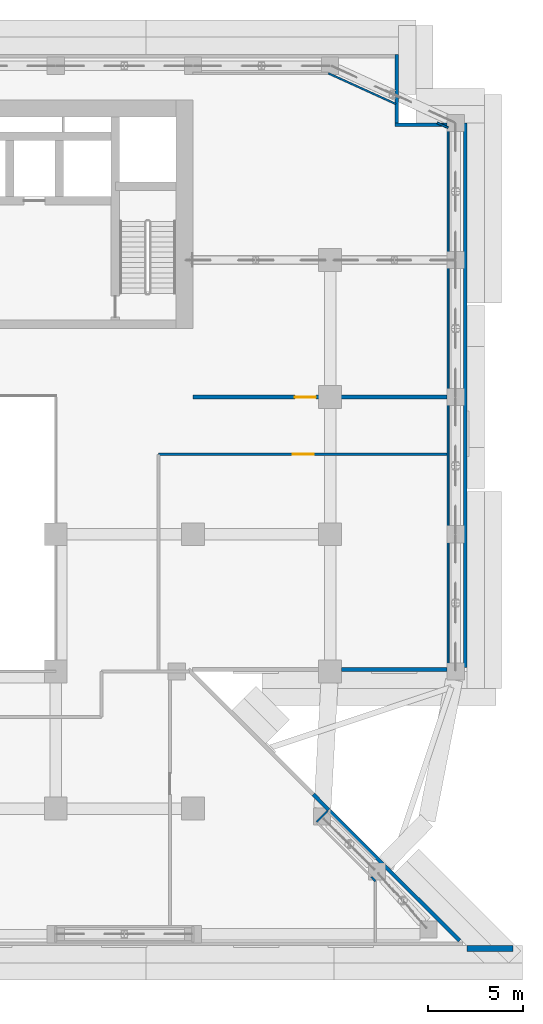
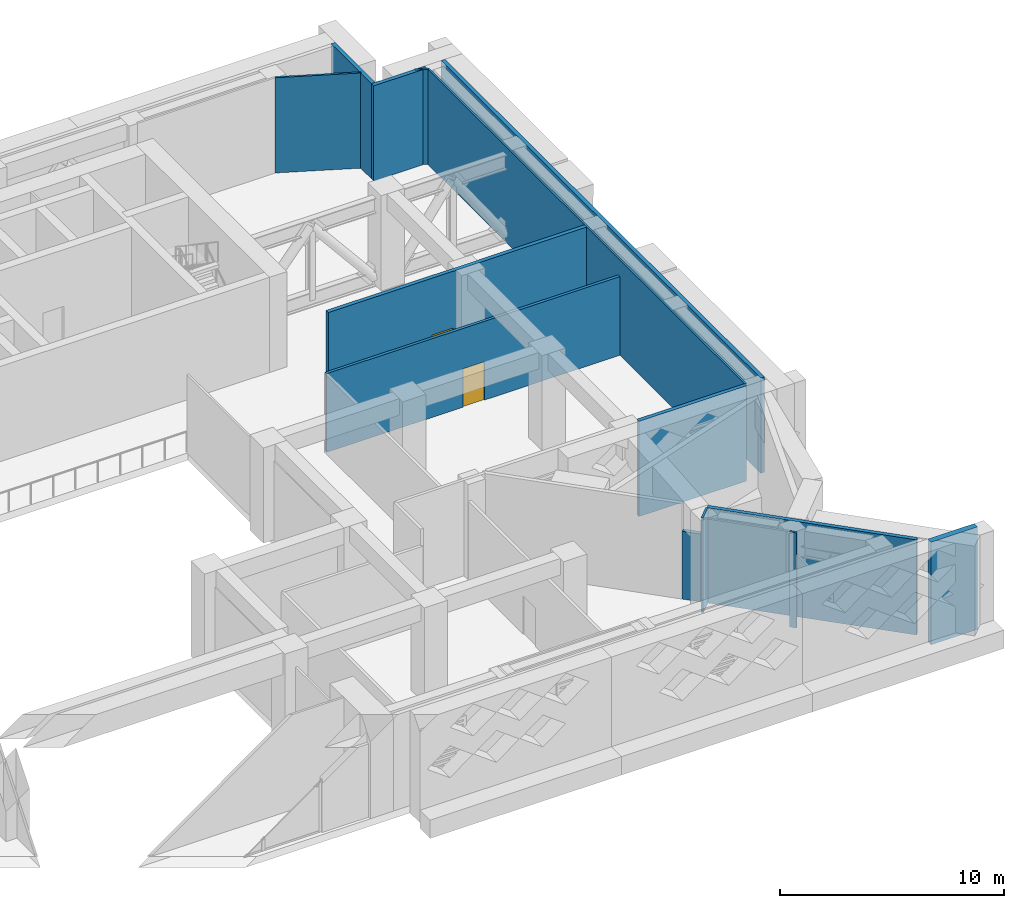
# One storey, part 11 of 19: 14 walls, 2 doors, 2 openings.
"""IFC4 building model written with IfcOpenShell, lengths in metres."""

from ifc_helpers import new_model, si_unit, direction, frame, frame_2d, origin, place, context, subcontext, project, spatial, rectangle, extrude, material, layer, layer_set, type_object, element, fill, save


model = new_model("IFC4")

# Units and contexts
model_context = context("Model", 3, precision=1e-05, world=origin(), true_north=direction((0.0, 1.0)))
body_context = subcontext(model_context, "Body", "Model", "MODEL_VIEW")
ifc_project = project(units=[si_unit("LENGTHUNIT", "METRE"), si_unit("AREAUNIT", "SQUARE_METRE"), si_unit("VOLUMEUNIT", "CUBIC_METRE"), si_unit("PLANEANGLEUNIT", "RADIAN"), si_unit("MASSUNIT", "GRAM", prefix="KILO")], contexts=[model_context])

# Site, building, storey
site_placement = place(None, origin())
site = spatial("IfcSite", under=ifc_project, at=site_placement, CompositionType="ELEMENT")
building_placement = place(site_placement, origin())
building = spatial("IfcBuilding", under=site, at=building_placement, Name="Saffron Iwan Residences", CompositionType="ELEMENT")
storey_placement = place(building_placement, frame((0.0, 0.0, 107.5)))
storey = spatial("IfcBuildingStorey", under=building, at=storey_placement, Name="L28", CompositionType="ELEMENT", Elevation=107.5)

# Wall, opening, door
ifc_material_1 = material(Name="Concrete blockwork", Category="masonry")
ifc_layer_1 = layer(ifc_material_1, 0.14990234375)
ifc_layer_set_1 = layer_set([ifc_layer_1], Name="Concrete blockwork")
wall_type_1 = type_object("IfcWallType", Name="Blockwork partition 150", PredefinedType="PARTITIONING", material=ifc_layer_set_1)
wall_1_placement = place(storey_placement, frame((70.199951171875, 59.39990234375, 0.0), z_axis=(0.0, 0.0, 1.0), x_axis=(1.0, 0.0, 0.0)))
wall_1 = element("IfcWall", 1, at=wall_1_placement, inside=storey, type_object=wall_type_1, Name="W-L28-017", PredefinedType="PARTITIONING", context=body_context, shape_type="SweptSolid", body=[
    extrude(rectangle(XDim=15.150146484375, YDim=0.14990234375, at=frame_2d((7.5751953125, 0.0))), origin(), (0.0, 0.0, 1.0), 4.300048828125),
])
opening_1_placement = place(wall_1_placement, frame((7.050048828125, 0.0, 0.0)))
opening_1 = element("IfcOpeningElement", 2, at=opening_1_placement, cuts=wall_1, Name="Opening L28.09", PredefinedType="OPENING", context=body_context, shape_type="SweptSolid", body=[
    extrude(rectangle(XDim=1.10009765625, YDim=2.10009765625, at=frame_2d((0.550048828125, 1.050048828125))), frame((0.0, 0.0849609375, 0.0), z_axis=(0.0, -1.0, 0.0), x_axis=(1.0, 0.0, 0.0)), (0.0, 0.0, 1.0), 0.169921875),
])
ifc_material_2 = material(Name="Steel", Category="steel")
door_type = type_object("IfcDoorType", Name="Fire door 1100x2100", OperationType="NOTDEFINED", PredefinedType="DOOR", material=ifc_material_2)
door_1_placement = place(opening_1_placement, origin())
door_1 = element("IfcDoor", 3, at=door_1_placement, inside=storey, type_object=door_type, Name="D-L28-009", OperationType="SINGLE_SWING_RIGHT", OverallHeight=2.10009765625, OverallWidth=1.10009765625, PredefinedType="DOOR", context=body_context, shape_type="SweptSolid", body=[
    extrude(rectangle(XDim=1.10009765625, YDim=2.10009765625, at=frame_2d((0.550048828125, 1.050048828125))), frame((0.0, 0.02490234375, 0.0), z_axis=(0.0, -1.0, 0.0), x_axis=(1.0, 0.0, 0.0)), (0.0, 0.0, 1.0), 0.050048828125),
])
fill(opening_1, door_1)

# Walls
ifc_material_3 = material(Name="Concrete C40/50", Category="concrete")
ifc_layer_2 = layer(ifc_material_3, 0.199951171875)
ifc_layer_set_2 = layer_set([ifc_layer_2], Name="Concrete C40/50")
wall_type_2 = type_object("IfcWallType", Name="EXTERNAL WALL 200", PredefinedType="SOLIDWALL", material=ifc_layer_set_2)
wall_2_placement = place(storey_placement, frame((85.99609375, 33.862548828125, 0.0), z_axis=(0.0, 0.0, 1.0), x_axis=(-0.707119344492, 0.707094217658, 0.0)))
element("IfcWall", 4, at=wall_2_placement, inside=storey, type_object=wall_type_2, Name="External wall L28 F0.0", PredefinedType="SOLIDWALL", context=body_context, shape_type="SweptSolid", body=[
    extrude(rectangle(XDim=9.71630859375, YDim=0.199951171875, at=frame_2d((4.858154296875, 0.0))), origin(), (0.0, 0.0, 1.0), 5.199951171875),
])
wall_3_placement = place(storey_placement, frame((79.800048828125, 48.10009765625, 0.0), z_axis=(0.0, 0.0, 1.0), x_axis=(1.0, 0.0, 0.0)))
element("IfcWall", 5, at=wall_3_placement, inside=storey, type_object=wall_type_2, Name="External wall L28 F1.1", PredefinedType="SOLIDWALL", context=body_context, shape_type="SweptSolid", body=[
    extrude(rectangle(XDim=5.550048828125, YDim=0.199951171875, at=frame_2d((2.77490234375, 0.0))), origin(), (0.0, 0.0, 1.0), 5.199951171875),
])
wall_4_placement = place(storey_placement, frame((86.300048828125, 48.199951171875, 0.0), z_axis=(0.0, 0.0, 1.0), x_axis=(0.0, 1.0, 0.0)))
element("IfcWall", 6, at=wall_4_placement, inside=storey, type_object=wall_type_2, Name="External wall L28 F2.0", PredefinedType="SOLIDWALL", context=body_context, shape_type="SweptSolid", body=[
    extrude(rectangle(XDim=28.60009765625, YDim=0.199951171875, at=frame_2d((14.300048828125, 0.0))), origin(), (0.0, 0.0, 1.0), 5.199951171875),
])
wall_5_placement = place(storey_placement, frame((85.35009765625, 76.699951171875, 0.0), z_axis=(0.0, 0.0, 1.0), x_axis=(-1.0, 0.0, 0.0)))
element("IfcWall", 7, at=wall_5_placement, inside=storey, type_object=wall_type_2, Name="External wall L28 F3.0", PredefinedType="SOLIDWALL", context=body_context, shape_type="SweptSolid", body=[
    extrude(rectangle(XDim=2.75, YDim=0.199951171875, at=frame_2d((1.375, 0.0))), origin(), (0.0, 0.0, 1.0), 5.199951171875),
])
wall_6_placement = place(storey_placement, frame((82.699951171875, 76.800048828125, 0.0), z_axis=(0.0, 0.0, 1.0), x_axis=(0.0, 1.0, 0.0)))
element("IfcWall", 8, at=wall_6_placement, inside=storey, type_object=wall_type_2, Name="External wall L28 F4.0", PredefinedType="SOLIDWALL", context=body_context, shape_type="SweptSolid", body=[
    extrude(rectangle(XDim=3.599853515625, YDim=0.199951171875, at=frame_2d((1.7998046875, 0.0))), origin(), (0.0, 0.0, 1.0), 5.199951171875),
])
wall_7_placement = place(storey_placement, frame((79.12548828125, 40.73291015625, 0.0), z_axis=(0.0, 0.0, 1.0), x_axis=(-0.70699926096, 0.707214285066, 0.0)))
element("IfcWall", 9, at=wall_7_placement, inside=storey, type_object=wall_type_2, Name="External wall L28 F0.0-1", PredefinedType="SOLIDWALL", context=body_context, shape_type="SweptSolid", body=[
    extrude(rectangle(XDim=1.135498046875, YDim=0.199951171875, at=frame_2d((0.56787109375, 0.0))), origin(), (0.0, 0.0, 1.0), 3.699951171875),
])
ifc_material_4 = material(Name="Glass", Category="glass")
ifc_layer_3 = layer(ifc_material_4, 0.10009765625)
ifc_layer_set_3 = layer_set([ifc_layer_3], Name="Glass")
wall_type_3 = type_object("IfcWallType", Name="Glazed screen wall 100", PredefinedType="PARTITIONING", material=ifc_layer_set_3)
wall_8_placement = place(storey_placement, frame((85.39990234375, 48.169921875, 0.0), z_axis=(0.0, 0.0, 1.0), x_axis=(0.0, 1.0, 0.0)))
element("IfcWall", 10, at=wall_8_placement, inside=storey, type_object=wall_type_3, Name="W-L28-046", PredefinedType="PARTITIONING", context=body_context, shape_type="SweptSolid", body=[
    extrude(rectangle(XDim=28.3720703125, YDim=0.10009765625, at=frame_2d((14.18603515625, 0.0))), origin(), (0.0, 0.0, 1.0), 5.199951171875),
])
wall_9_placement = place(storey_placement, frame((81.580078125, 36.97900390625, 0.0), z_axis=(0.0, 0.0, 1.0), x_axis=(-0.666090549678, 0.745870886702, 0.0)))
element("IfcWall", 11, at=wall_9_placement, inside=storey, type_object=wall_type_3, Name="W-L28-049", PredefinedType="PARTITIONING", context=body_context, shape_type="SweptSolid", body=[
    extrude(rectangle(XDim=0.324462890625, YDim=0.10009765625, at=frame_2d((0.162109375, 0.0))), origin(), (0.0, 0.0, 1.0), 5.199951171875),
])
wall_10_placement = place(storey_placement, frame((78.492919921875, 40.093017578125, 0.0), z_axis=(0.0, 0.0, 1.0), x_axis=(0.707259257037, 0.70695427245, 0.0)))
element("IfcWall", 12, at=wall_10_placement, inside=storey, type_object=wall_type_3, Name="W-L28-051", PredefinedType="PARTITIONING", context=body_context, shape_type="SweptSolid", body=[
    extrude(rectangle(XDim=0.800537109375, YDim=0.10009765625, at=frame_2d((0.400390625, 0.0))), origin(), (0.0, 0.0, 1.0), 5.199951171875),
])
wall_11_placement = place(storey_placement, frame((82.64501953125, 77.7939453125, 0.0), z_axis=(0.0, 0.0, 1.0), x_axis=(-0.910316907758, 0.413911980316, 0.0)))
element("IfcWall", 13, at=wall_11_placement, inside=storey, type_object=wall_type_3, Name="W-L28-053", PredefinedType="PARTITIONING", context=body_context, shape_type="SweptSolid", body=[
    extrude(rectangle(XDim=3.8798828125, YDim=0.10009765625, at=frame_2d((1.93994140625, 0.0))), origin(), (0.0, 0.0, 1.0), 5.199951171875),
])
wall_12_placement = place(storey_placement, frame((85.39990234375, 76.5419921875, 0.0), z_axis=(0.0, 0.0, 1.0), x_axis=(-0.910138141385, 0.414304916212, 0.0)))
element("IfcWall", 14, at=wall_12_placement, inside=storey, type_object=wall_type_3, Name="W-L28-054", PredefinedType="PARTITIONING", context=body_context, shape_type="SweptSolid", body=[
    extrude(rectangle(XDim=0.622802734375, YDim=0.10009765625, at=frame_2d((0.3115234375, 0.0))), origin(), (0.0, 0.0, 1.0), 5.199951171875),
])
ifc_material_5 = material(Name="Concrete C50/60 white painted", Category="concrete")
ifc_layer_4 = layer(ifc_material_5, 0.300048828125)
ifc_layer_set_4 = layer_set([ifc_layer_4], Name="Concrete C50/60 white painted")
wall_type_4 = type_object("IfcWallType", Name="PROW BLADE 300", PredefinedType="SOLIDWALL", material=ifc_layer_set_4)
wall_13_placement = place(storey_placement, frame((86.39990234375, 33.449951171875, -0.39990234375), z_axis=(0.0, 0.0, 1.0), x_axis=(1.0, 0.0, 0.0)))
element("IfcWall", 15, at=wall_13_placement, inside=storey, type_object=wall_type_4, Name="Prow blade L28", PredefinedType="SOLIDWALL", context=body_context, shape_type="SweptSolid", body=[
    extrude(rectangle(XDim=2.400146484375, YDim=0.300048828125, at=frame_2d((1.2001953125, 0.0))), origin(), (0.0, 0.0, 1.0), 5.599853515625),
])

# Wall, opening, door
ifc_layer_5 = layer(ifc_material_3, 0.199951171875)
ifc_layer_set_5 = layer_set([ifc_layer_5], Name="Concrete C40/50")
wall_type_5 = type_object("IfcWallType", Name="Reinforced concrete wall 200", PredefinedType="SOLIDWALL", material=ifc_layer_set_5)
wall_14_placement = place(storey_placement, frame((72.0, 62.39990234375, 0.0), z_axis=(0.0, 0.0, 1.0), x_axis=(1.0, 0.0, 0.0)))
wall_14 = element("IfcWall", 16, at=wall_14_placement, inside=storey, type_object=wall_type_5, Name="W-L28-019", PredefinedType="SOLIDWALL", context=body_context, shape_type="SweptSolid", body=[
    extrude(rectangle(XDim=13.35009765625, YDim=0.199951171875, at=frame_2d((6.675048828125, 0.0))), origin(), (0.0, 0.0, 1.0), 5.199951171875),
])
opening_2_placement = place(wall_14_placement, frame((5.35009765625, 0.0, 0.0)))
opening_2 = element("IfcOpeningElement", 17, at=opening_2_placement, cuts=wall_14, Name="Opening L28.10", PredefinedType="OPENING", context=body_context, shape_type="SweptSolid", body=[
    extrude(rectangle(XDim=1.10009765625, YDim=2.10009765625, at=frame_2d((0.550048828125, 1.050048828125))), frame((0.0, 0.10986328125, 0.0), z_axis=(0.0, -1.0, 0.0), x_axis=(1.0, 0.0, 0.0)), (0.0, 0.0, 1.0), 0.219970703125),
])
door_2_placement = place(opening_2_placement, origin())
door_2 = element("IfcDoor", 18, at=door_2_placement, inside=storey, type_object=door_type, Name="D-L28-010", OperationType="SINGLE_SWING_LEFT", OverallHeight=2.10009765625, OverallWidth=1.10009765625, PredefinedType="DOOR", context=body_context, shape_type="SweptSolid", body=[
    extrude(rectangle(XDim=1.10009765625, YDim=2.10009765625, at=frame_2d((0.550048828125, 1.050048828125))), frame((0.0, 0.02490234375, 0.0), z_axis=(0.0, -1.0, 0.0), x_axis=(1.0, 0.0, 0.0)), (0.0, 0.0, 1.0), 0.050048828125),
])
fill(opening_2, door_2)

save(model, "model.ifc")
